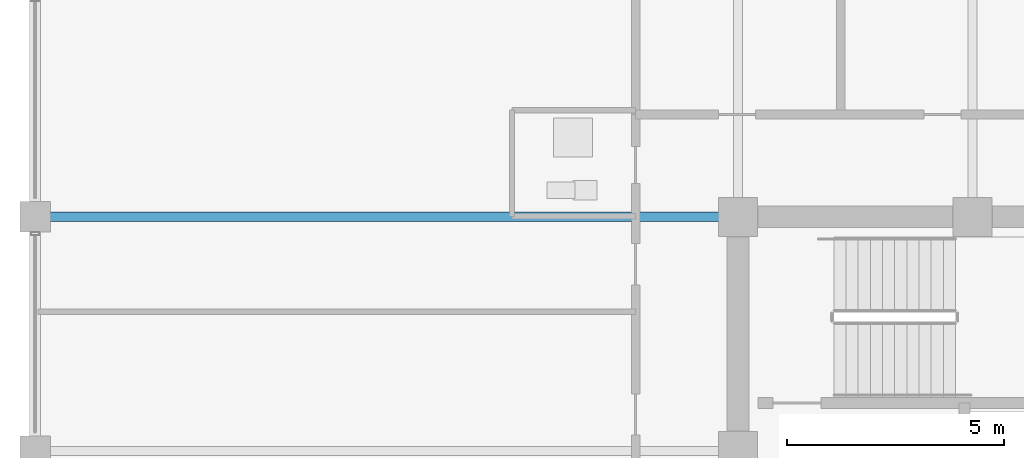
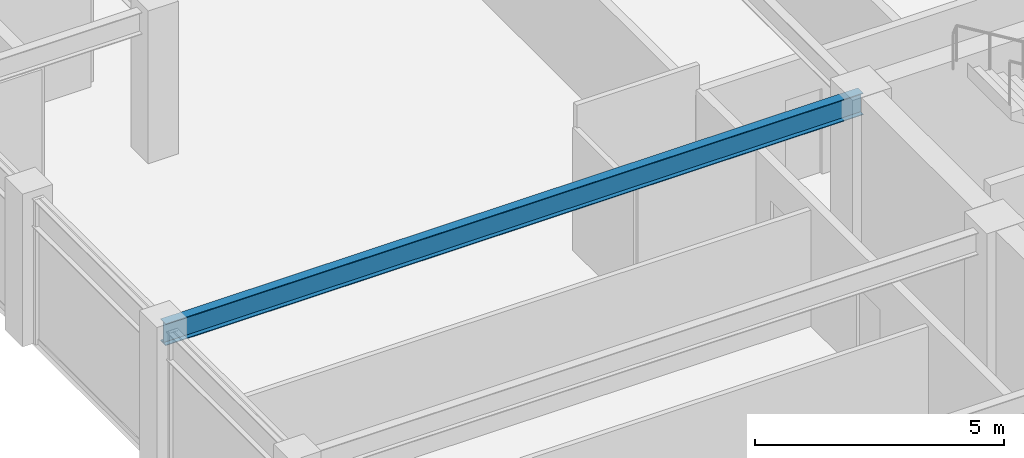
# One storey, part 15 of 31: 1 beam.
"""IFC4 building model written with IfcOpenShell, lengths in metres."""

from ifc_helpers import new_model, si_unit, direction, frame, origin, origin_2d, place, context, subcontext, project, spatial, i_section, extrude, material, material_profile, profile_set, type_object, element, save


model = new_model("IFC4")

# Units and contexts
model_context = context("Model", 3, precision=1e-05, world=origin(), true_north=direction((0.0, 1.0)))
body_context = subcontext(model_context, "Body", "Model", "MODEL_VIEW")
ifc_project = project(units=[si_unit("LENGTHUNIT", "METRE"), si_unit("AREAUNIT", "SQUARE_METRE"), si_unit("VOLUMEUNIT", "CUBIC_METRE"), si_unit("PLANEANGLEUNIT", "RADIAN"), si_unit("MASSUNIT", "GRAM", prefix="KILO")], contexts=[model_context])

# Site, building, storey
site_placement = place(None, origin())
site = spatial("IfcSite", under=ifc_project, at=site_placement, CompositionType="ELEMENT")
building_placement = place(site_placement, origin())
building = spatial("IfcBuilding", under=site, at=building_placement, Name="Surkhivell Harbour Commons", CompositionType="ELEMENT")
storey_placement = place(building_placement, frame((0.0, 0.0, 288.75)))
storey = spatial("IfcBuildingStorey", under=building, at=storey_placement, Name="L75", CompositionType="ELEMENT", Elevation=288.75)

# Beam
ifc_material = material(Name="Steel S355", Category="steel")
ifc_material_profile = material_profile(ifc_material, i_section(OverallWidth=0.2099609375, OverallDepth=0.537109375, WebThickness=0.0107421875, FlangeThickness=0.017333984375, at=origin_2d()), Name="UB533x210x101")
ifc_profile_set = profile_set([ifc_material_profile], Name="Steel S355")
beam_type = type_object("IfcBeamType", Name="BM-GRD-533B", PredefinedType="BEAM", material=ifc_profile_set)
beam_placement = place(storey_placement, frame((-27.0, 10.800048828125, 3.301513671875), z_axis=(1.0, 0.0, 0.0), x_axis=(0.0, 1.0, 0.0)))
element("IfcBeam", 1, at=beam_placement, inside=storey, type_object=beam_type, Name="L75 Floor Girder (-27.0,10.8)", PredefinedType="BEAM", context=body_context, shape_type="SweptSolid", body=[
    extrude(i_section(OverallWidth=0.2099609375, OverallDepth=0.537109375, WebThickness=0.0107421875, FlangeThickness=0.017333984375, at=origin_2d()), origin(), (0.0, 0.0, 1.0), 16.199951171875),
])

save(model, "model.ifc")
